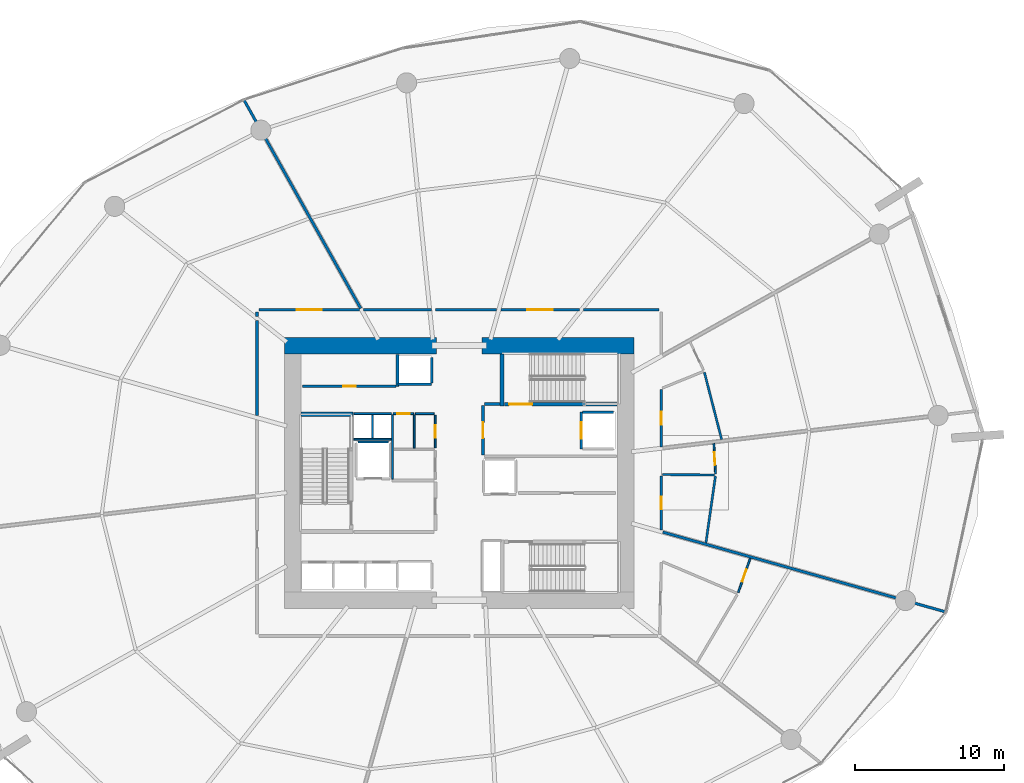
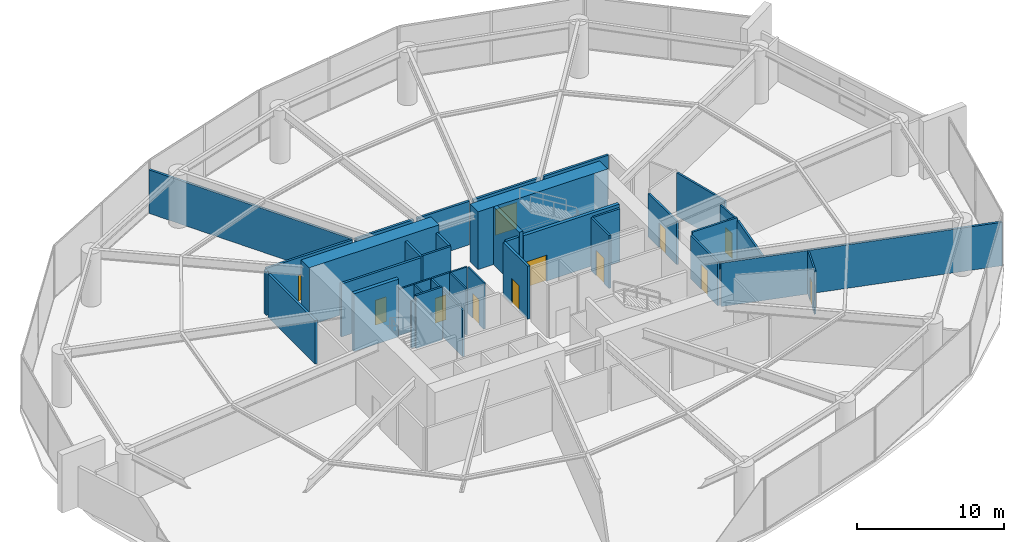
# One storey, part 19 of 22: 38 walls, 12 doors, 12 openings.
"""IFC4 building model written with IfcOpenShell, lengths in metres."""

import ifcopenshell
import ifcopenshell.guid

model = None  # the IFC model being written
_history = None  # IfcOwnerHistory: only IFC2X3 demands one
_inside = {}  # id of a spatial element -> (the spatial element, [elements in it])
_under = {}  # id of a project, library or spatial element -> (it, [spatial elements below it])
_declared = {}  # id of a project -> (the project, [libraries it declares])
_typed = {}  # id of a type object -> (the type object, [elements of that type])
_made_of = {}  # id of a material, layer set ... -> (it, [elements and type objects made of it])


def new_model(schema):
    """Start an empty IFC model of exactly this schema.

    Asked for "IFC4X3", IfcOpenShell would pick the latest addendum, in which some entities
    have other attributes; the version numbers below select the first issue.
    IFC2X3 requires an IfcOwnerHistory on every rooted entity: one is made here for all.
    """
    global model, _history
    if schema == "IFC4X3":
        model = ifcopenshell.file(schema_version=(4, 3, 0, 0))
    else:
        model = ifcopenshell.file(schema=schema)
    _inside.clear()
    _under.clear()
    _declared.clear()
    _typed.clear()
    _made_of.clear()
    _history = None
    if model.schema == "IFC2X3":
        org = make("IfcOrganization", Name="unknown")
        user = make(
            "IfcPersonAndOrganization",
            ThePerson=make("IfcPerson", FamilyName="unknown"),
            TheOrganization=org,
        )
        app = make(
            "IfcApplication",
            ApplicationDeveloper=org,
            Version="unknown",
            ApplicationFullName="unknown",
            ApplicationIdentifier="unknown",
        )
        _history = make(
            "IfcOwnerHistory",
            OwningUser=user,
            OwningApplication=app,
            ChangeAction="ADDED",
            CreationDate=0,
        )
    return model


def make(cls, **values):
    """One entity of the class cls with the attributes given. An attribute that is None is left unset."""
    return model.create_entity(
        cls, **{name: value for name, value in values.items() if value is not None}
    )


def rooted(cls, **values):
    """An entity with a GlobalId (a new one), such as an element, a storey or a relation."""
    return make(cls, GlobalId=ifcopenshell.guid.new(), OwnerHistory=_history, **values)


def si_unit(unit_type, name, prefix=None):
    """IfcSIUnit, for example si_unit("LENGTHUNIT", "METRE", prefix="MILLI")."""
    return make("IfcSIUnit", UnitType=unit_type, Prefix=prefix, Name=name)


def assignment(units):
    """IfcUnitAssignment: the units of a project."""
    return None if units is None else make("IfcUnitAssignment", Units=units)


def point(xyz):
    """IfcCartesianPoint."""
    return None if xyz is None else make("IfcCartesianPoint", Coordinates=xyz)


def direction(xyz):
    """IfcDirection."""
    return None if xyz is None else make("IfcDirection", DirectionRatios=xyz)


def frame(location, z_axis=None, x_axis=None):
    """IfcAxis2Placement3D, a coordinate frame: its origin and axes. An axis left out is left unset."""
    return make(
        "IfcAxis2Placement3D",
        Location=point(location),
        Axis=direction(z_axis),
        RefDirection=direction(x_axis),
    )


def frame_2d(location, x_axis=None):
    """IfcAxis2Placement2D, a coordinate frame in the plane: its origin and x axis."""
    return make(
        "IfcAxis2Placement2D", Location=point(location), RefDirection=direction(x_axis)
    )


def origin():
    """The frame at (0, 0, 0) with its axes left unset."""
    return frame((0.0, 0.0, 0.0))


def place(relative_to, where):
    """IfcLocalPlacement: puts the frame where relative to a parent placement (None: the world)."""
    return make(
        "IfcLocalPlacement", PlacementRelTo=relative_to, RelativePlacement=where
    )


def context(
    kind, dimensions, precision=None, world=None, true_north=None, identifier=None
):
    """IfcGeometricRepresentationContext, for example the 3D "Model" context."""
    return make(
        "IfcGeometricRepresentationContext",
        ContextIdentifier=identifier,
        ContextType=kind,
        CoordinateSpaceDimension=dimensions,
        Precision=precision,
        WorldCoordinateSystem=world,
        TrueNorth=true_north,
    )


def subcontext(parent, identifier, kind, view, scale=None):
    """IfcGeometricRepresentationSubContext, for example "Body" below "Model"."""
    return make(
        "IfcGeometricRepresentationSubContext",
        ContextIdentifier=identifier,
        ContextType=kind,
        ParentContext=parent,
        TargetScale=scale,
        TargetView=view,
    )


def project(units=None, contexts=None):
    """IfcProject with its units and contexts."""
    return rooted(
        "IfcProject",
        Name="project",
        RepresentationContexts=contexts,
        UnitsInContext=assignment(units),
    )


def spatial(cls, under=None, at=None, **own):
    """A site, building, storey or space (cls), placed at a placement, below another one or the project."""
    s = rooted(cls, ObjectPlacement=at, **own)
    if under is not None:
        _under.setdefault(under.id(), (under, []))[1].append(s)
    return s


def profile(cls, at=None, kind="AREA", **sizes):
    """A parametric profile (cls). Its sizes go by their IFC names, for example OverallWidth=200.0."""
    return make(cls, ProfileType=kind, Position=at, **sizes)


def rectangle(**sizes):
    """IfcRectangleProfileDef."""
    return profile("IfcRectangleProfileDef", **sizes)


def extrude(swept, where, along, depth):
    """IfcExtrudedAreaSolid: the profile swept, set in the frame where, extruded along a direction by depth."""
    return make(
        "IfcExtrudedAreaSolid",
        SweptArea=swept,
        Position=where,
        ExtrudedDirection=direction(along),
        Depth=depth,
    )


def shape(context_of_items, identifier, shape_type, items):
    """IfcShapeRepresentation: the items that make up one representation, for example the "Body"."""
    return make(
        "IfcShapeRepresentation",
        ContextOfItems=context_of_items,
        RepresentationIdentifier=identifier,
        RepresentationType=shape_type,
        Items=items,
    )


def material(Name=None, Category=None):
    """IfcMaterial."""
    return make("IfcMaterial", Name=Name, Category=Category)


def layer(
    of_material, thickness, ventilated=None, Name=None, Category=None, Priority=None
):
    """IfcMaterialLayer: one layer of a wall or slab, of a material (None: an air gap)."""
    return make(
        "IfcMaterialLayer",
        Material=of_material,
        LayerThickness=thickness,
        IsVentilated=ventilated,
        Name=Name,
        Category=Category,
        Priority=Priority,
    )


def layer_set(layers, Name=None):
    """IfcMaterialLayerSet."""
    return make("IfcMaterialLayerSet", MaterialLayers=layers, LayerSetName=Name)


def made_of(thing, what):
    """Note that an element or type object is made of a material, layer set ...; save() writes the relation."""
    if what is not None:
        _made_of.setdefault(what.id(), (what, []))[1].append(thing)
    return thing


def type_object(cls, material=None, **own):
    """A type object (cls), such as IfcWallType, which elements share."""
    return made_of(rooted(cls, **own), material)


def element(
    cls,
    number,
    at=None,
    inside=None,
    cuts=None,
    type_object=None,
    material=None,
    context=None,
    identifier="Body",
    shape_type=None,
    held_by="IfcProductDefinitionShape",
    body=None,
    shapes=None,
    **own,
):
    """One element of the class cls, such as IfcWall. Its Tag is "e" and its number.

    at: its placement. inside: the storey or other place that contains it. cuts: it is an
    opening in that element (IfcRelVoidsElement). A single representation is given by context,
    identifier, shape_type and body (its items); several are given by shapes. held_by: the class
    of the entity that holds the representations. save() writes the other relations.
    """
    e = rooted(cls, Tag="e%d" % number, ObjectPlacement=at, **own)
    if body is not None:
        shapes = [shape(context, identifier, shape_type, body)]
    if shapes is not None:
        e.Representation = make(held_by, Representations=shapes)
    if inside is not None:
        _inside.setdefault(inside.id(), (inside, []))[1].append(e)
    if cuts is not None:
        rooted(
            "IfcRelVoidsElement", RelatingBuildingElement=cuts, RelatedOpeningElement=e
        )
    if type_object is not None:
        _typed.setdefault(type_object.id(), (type_object, []))[1].append(e)
    return made_of(e, material)


def fill(opening, filler):
    """IfcRelFillsElement: the door or window that sits in an opening."""
    return rooted(
        "IfcRelFillsElement",
        RelatingOpeningElement=opening,
        RelatedBuildingElement=filler,
    )


def aggregate(whole, parts):
    """IfcRelAggregates: a whole, such as a stair, and the parts it consists of."""
    return rooted("IfcRelAggregates", RelatingObject=whole, RelatedObjects=parts)


def save(model, path):
    """Write the relations noted so far, then the file.

    IfcRelAggregates (storeys below a building ...), IfcRelContainedInSpatialStructure (elements
    in a storey), IfcRelDefinesByType, IfcRelAssociatesMaterial and IfcRelDeclares: one each for
    every whole, place, type object, material and project.
    """
    for whole, parts in _under.values():
        aggregate(whole, parts)
    for where, things in _inside.values():
        rooted(
            "IfcRelContainedInSpatialStructure",
            RelatedElements=things,
            RelatingStructure=where,
        )
    for kind, things in _typed.values():
        rooted("IfcRelDefinesByType", RelatedObjects=things, RelatingType=kind)
    for what, things in _made_of.values():
        rooted("IfcRelAssociatesMaterial", RelatedObjects=things, RelatingMaterial=what)
    for by, libraries in _declared.values():
        rooted("IfcRelDeclares", RelatingContext=by, RelatedDefinitions=libraries)
    model.write(path)


model = new_model("IFC4")

# Units and contexts
model_context = context("Model", 3, precision=1e-05, world=origin(), true_north=direction((0.0, 1.0)))
body_context = subcontext(model_context, "Body", "Model", "MODEL_VIEW")
ifc_project = project(units=[si_unit("LENGTHUNIT", "METRE"), si_unit("AREAUNIT", "SQUARE_METRE"), si_unit("VOLUMEUNIT", "CUBIC_METRE"), si_unit("PLANEANGLEUNIT", "RADIAN"), si_unit("MASSUNIT", "GRAM", prefix="KILO")], contexts=[model_context])

# Site, building, storey
site_placement = place(None, origin())
site = spatial("IfcSite", under=ifc_project, at=site_placement, CompositionType="ELEMENT")
building_placement = place(site_placement, origin())
building = spatial("IfcBuilding", under=site, at=building_placement, Name="Kazma Halo Residences", CompositionType="ELEMENT")
storey_placement = place(building_placement, frame((0.0, 0.0, 16.800048828125)))
storey = spatial("IfcBuildingStorey", under=building, at=storey_placement, Name="L03", CompositionType="ELEMENT", Elevation=16.800048828125)

# Walls
ifc_material_1 = material(Name="Concrete C80/95", Category="concrete")
ifc_layer_1 = layer(ifc_material_1, 1.10009765625)
ifc_layer_set_1 = layer_set([ifc_layer_1], Name="Concrete C80/95")
wall_type_1 = type_object("IfcWallType", Name="WL-CORE-1100", PredefinedType="SHEAR", material=ifc_layer_set_1)
for number, where, z_axis, x_axis, name in (
    (1, (36.699951171875, 50.550048828125, 0.0), (0.0, 0.0, 1.0), (1.0, 0.0, 0.0), "L03 central core shear wall NW"),
    (2, (49.949951171875, 50.550048828125, 0.0), (0.0, 0.0, 1.0), (1.0, 0.0, 0.0), "L03 central core shear wall NE"),
):
    element("IfcWall", number, at=place(storey_placement, frame(where, z_axis=z_axis, x_axis=x_axis)), inside=storey, type_object=wall_type_1, Name=name, PredefinedType="SHEAR", context=body_context, shape_type="SweptSolid", body=[
        extrude(rectangle(XDim=10.199951171875, YDim=1.10009765625, at=frame_2d((5.10009765625, 0.0))), origin(), (0.0, 0.0, 1.0), 4.800048828125),
    ])
ifc_material_2 = material(Name="Concrete C60/75", Category="concrete")
ifc_layer_2 = layer(ifc_material_2, 0.280029296875)
ifc_layer_set_2 = layer_set([ifc_layer_2], Name="Concrete C60/75")
wall_type_2 = type_object("IfcWallType", Name="WL-CORE-ST-280", PredefinedType="SHEAR", material=ifc_layer_set_2)
for number, where, z_axis, x_axis, name in (
    (3, (37.800048828125, 45.93994140625, 0.0), (0.0, 0.0, 1.0), (1.0, 0.0, 0.0), "L03 stairwell bearing wall ST01-N"),
    (4, (51.31005859375, 46.5, 0.0), (0.0, 0.0, 1.0), (0.0, 1.0, 0.0), "L03 stairwell bearing wall ST02-W"),
):
    element("IfcWall", number, at=place(storey_placement, frame(where, z_axis=z_axis, x_axis=x_axis)), inside=storey, type_object=wall_type_2, Name=name, PredefinedType="SHEAR", context=body_context, shape_type="SweptSolid", body=[
        extrude(rectangle(XDim=3.5, YDim=0.280029296875, at=frame_2d((1.75, 0.0))), origin(), (0.0, 0.0, 1.0), 4.800048828125),
    ])
ifc_material_3 = material(Name="Acoustic Twin-Stud Gypsum")
ifc_layer_3 = layer(ifc_material_3, 0.179931640625)
ifc_layer_set_3 = layer_set([ifc_layer_3], Name="Acoustic Twin-Stud Gypsum")
wall_type_3 = type_object("IfcWallType", Name="WL-DEM-180", PredefinedType="PARTITIONING", material=ifc_layer_set_3)
wall_1_placement = place(storey_placement, frame((61.860107421875, 52.949951171875, 0.0), z_axis=(0.0, 0.0, 1.0), x_axis=(-1.0, 0.0, 0.0)))
element("IfcWall", 5, at=wall_1_placement, inside=storey, type_object=wall_type_3, Name="L03 Cardio and Strength Fitness Gym corridor wall", PredefinedType="PARTITIONING", context=body_context, shape_type="SweptSolid", body=[
    extrude(rectangle(XDim=5.087890625, YDim=0.179931640625, at=frame_2d((2.5439453125, 0.0))), origin(), (0.0, 0.0, 1.0), 3.613037109375),
])

# Wall, opening, door
wall_2_placement = place(storey_placement, frame((56.4921875, 52.949951171875, 0.0), z_axis=(0.0, 0.0, 1.0), x_axis=(-1.0, 0.0, 0.0)))
wall_2 = element("IfcWall", 6, at=wall_2_placement, inside=storey, type_object=wall_type_3, Name="L03 Cardio and Strength Fitness Gym corridor wall", PredefinedType="PARTITIONING", context=body_context, shape_type="SweptSolid", body=[
    extrude(rectangle(XDim=5.263916015625, YDim=0.179931640625, at=frame_2d((2.6318359375, 0.0))), origin(), (0.0, 0.0, 1.0), 3.613037109375),
])
opening_1_placement = place(wall_2_placement, frame((1.781982421875, 0.0, 0.0)))
opening_1 = element("IfcOpeningElement", 7, at=opening_1_placement, cuts=wall_2, Name="Opening DL-1800", PredefinedType="OPENING", context=body_context, shape_type="SweptSolid", body=[
    extrude(rectangle(XDim=1.699951171875, YDim=2.14990234375, at=frame_2d((0.85009765625, 1.074951171875))), frame((0.0, 0.099853515625, 0.0), z_axis=(0.0, -1.0, 0.0), x_axis=(1.0, 0.0, 0.0)), (0.0, 0.0, 1.0), 0.199951171875),
])
ifc_material_4 = material(Name="Glazed Aluminium Double Leaf", Category="aluminium")
door_type_1 = type_object("IfcDoorType", Name="DR-LGE-1800", OperationType="NOTDEFINED", PredefinedType="DOOR", material=ifc_material_4)
door_1_placement = place(opening_1_placement, origin())
door_1 = element("IfcDoor", 8, at=door_1_placement, inside=storey, type_object=door_type_1, Name="L03 Cardio and Strength Fitness Gym entrance door", OperationType="DOUBLE_DOOR_SINGLE_SWING", OverallHeight=2.14990234375, OverallWidth=1.699951171875, PredefinedType="DOOR", context=body_context, shape_type="SweptSolid", body=[
    extrude(rectangle(XDim=1.699951171875, YDim=2.14990234375, at=frame_2d((0.85009765625, 1.074951171875))), frame((0.0, 0.02490234375, 0.0), z_axis=(0.0, -1.0, 0.0), x_axis=(1.0, 0.0, 0.0)), (0.0, 0.0, 1.0), 0.050048828125),
])
fill(opening_1, door_1)

# Walls
wall_3_placement = place(storey_placement, frame((50.9482421875, 52.949951171875, 0.0), z_axis=(0.0, 0.0, 1.0), x_axis=(-1.0, 0.0, 0.0)))
element("IfcWall", 9, at=wall_3_placement, inside=storey, type_object=wall_type_3, Name="L03 Cardio and Strength Fitness Gym corridor wall", PredefinedType="PARTITIONING", context=body_context, shape_type="SweptSolid", body=[
    extrude(rectangle(XDim=4.104248046875, YDim=0.179931640625, at=frame_2d((2.05224609375, 0.0))), origin(), (0.0, 0.0, 1.0), 3.613037109375),
])
wall_4_placement = place(storey_placement, frame((46.56396484375, 52.949951171875, 0.0), z_axis=(0.0, 0.0, 1.0), x_axis=(-1.0, 0.0, 0.0)))
element("IfcWall", 10, at=wall_4_placement, inside=storey, type_object=wall_type_3, Name="L03 Cardio and Strength Fitness Gym corridor wall", PredefinedType="PARTITIONING", context=body_context, shape_type="SweptSolid", body=[
    extrude(rectangle(XDim=4.55615234375, YDim=0.179931640625, at=frame_2d((2.278076171875, 0.0))), origin(), (0.0, 0.0, 1.0), 3.613037109375),
])
wall_5_placement = place(storey_placement, frame((41.81396484375, 53.0458984375, 0.0), z_axis=(0.0, 0.0, 1.0), x_axis=(-0.48862053439, 0.872496403071, 0.0)))
element("IfcWall", 11, at=wall_5_placement, inside=storey, type_object=wall_type_3, Name="L03 radial partition wall 04", PredefinedType="PARTITIONING", context=body_context, shape_type="SweptSolid", body=[
    extrude(rectangle(XDim=16.0244140625, YDim=0.179931640625, at=frame_2d((8.01220703125, 0.0))), origin(), (0.0, 0.0, 1.0), 3.613037109375),
])

# Wall, opening, door
wall_6_placement = place(storey_placement, frame((41.727783203125, 52.949951171875, 0.0), z_axis=(0.0, 0.0, 1.0), x_axis=(-1.0, 0.0, 0.0)))
wall_6 = element("IfcWall", 12, at=wall_6_placement, inside=storey, type_object=wall_type_3, Name="L03 Yoga and Pilates Studio corridor wall", PredefinedType="PARTITIONING", context=body_context, shape_type="SweptSolid", body=[
    extrude(rectangle(XDim=6.73779296875, YDim=0.179931640625, at=frame_2d((3.368896484375, 0.0))), origin(), (0.0, 0.0, 1.0), 3.613037109375),
])
opening_2_placement = place(wall_6_placement, frame((2.518798828125, 0.0, 0.0)))
opening_2 = element("IfcOpeningElement", 13, at=opening_2_placement, cuts=wall_6, Name="Opening DL-1800", PredefinedType="OPENING", context=body_context, shape_type="SweptSolid", body=[
    extrude(rectangle(XDim=1.699951171875, YDim=2.14990234375, at=frame_2d((0.85009765625, 1.074951171875))), frame((0.0, 0.099853515625, 0.0), z_axis=(0.0, -1.0, 0.0), x_axis=(1.0, 0.0, 0.0)), (0.0, 0.0, 1.0), 0.199951171875),
])
door_2_placement = place(opening_2_placement, origin())
door_2 = element("IfcDoor", 14, at=door_2_placement, inside=storey, type_object=door_type_1, Name="L03 Yoga and Pilates Studio entrance door", OperationType="DOUBLE_DOOR_SINGLE_SWING", OverallHeight=2.14990234375, OverallWidth=1.699951171875, PredefinedType="DOOR", context=body_context, shape_type="SweptSolid", body=[
    extrude(rectangle(XDim=1.699951171875, YDim=2.14990234375, at=frame_2d((0.85009765625, 1.074951171875))), frame((0.0, 0.02490234375, 0.0), z_axis=(0.0, -1.0, 0.0), x_axis=(1.0, 0.0, 0.0)), (0.0, 0.0, 1.0), 0.050048828125),
])
fill(opening_2, door_2)

# Walls
wall_7_placement = place(storey_placement, frame((34.85009765625, 52.81005859375, 0.0), z_axis=(0.0, 0.0, 1.0), x_axis=(0.0, -1.0, 0.0)))
element("IfcWall", 15, at=wall_7_placement, inside=storey, type_object=wall_type_3, Name="L03 Yoga and Pilates Studio corridor wall", PredefinedType="PARTITIONING", context=body_context, shape_type="SweptSolid", body=[
    extrude(rectangle(XDim=0.303466796875, YDim=0.179931640625, at=frame_2d((0.15185546875, 0.0))), origin(), (0.0, 0.0, 1.0), 3.613037109375),
])
wall_8_placement = place(storey_placement, frame((34.85009765625, 52.2265625, 0.0), z_axis=(0.0, 0.0, 1.0), x_axis=(0.0, -1.0, 0.0)))
element("IfcWall", 16, at=wall_8_placement, inside=storey, type_object=wall_type_3, Name="L03 Yoga and Pilates Studio corridor wall", PredefinedType="PARTITIONING", context=body_context, shape_type="SweptSolid", body=[
    extrude(rectangle(XDim=6.3779296875, YDim=0.179931640625, at=frame_2d((3.18896484375, 0.0))), origin(), (0.0, 0.0, 1.0), 3.613037109375),
])
wall_9_placement = place(storey_placement, frame((62.10595703125, 38.021728515625, 0.0), z_axis=(0.0, 0.0, 1.0), x_axis=(0.962455233657, -0.271440459782, 0.0)))
element("IfcWall", 17, at=wall_9_placement, inside=storey, type_object=wall_type_3, Name="L03 radial partition wall 14", PredefinedType="PARTITIONING", context=body_context, shape_type="SweptSolid", body=[
    extrude(rectangle(XDim=19.71630859375, YDim=0.179931640625, at=frame_2d((9.858154296875, 0.0))), origin(), (0.0, 0.0, 1.0), 3.613037109375),
])
ifc_material_5 = material(Name="Fire-Rated Blockwork Masonry", Category="masonry")
ifc_layer_4 = layer(ifc_material_5, 0.199951171875)
ifc_layer_set_4 = layer_set([ifc_layer_4], Name="Fire-Rated Blockwork Masonry")
wall_type_4 = type_object("IfcWallType", Name="WL-FLB-200", PredefinedType="PARTITIONING", material=ifc_layer_set_4)
wall_10_placement = place(storey_placement, frame((46.580078125, 47.945068359375, 0.0), z_axis=(0.0, 0.0, 1.0), x_axis=(-1.0, 0.0, 0.0)))
element("IfcWall", 18, at=wall_10_placement, inside=storey, type_object=wall_type_4, Name="L03 lift shaft PX-01 front wall", PredefinedType="PARTITIONING", context=body_context, shape_type="SweptSolid", body=[
    extrude(rectangle(XDim=2.260009765625, YDim=0.159912109375, at=frame_2d((1.1298828125, 0.0))), origin(), (0.0, 0.0, 1.0), 4.39990234375),
])
wall_11_placement = place(storey_placement, frame((46.580078125, 48.044921875, 0.0), z_axis=(0.0, 0.0, 1.0), x_axis=(0.0, 1.0, 0.0)))
element("IfcWall", 19, at=wall_11_placement, inside=storey, type_object=wall_type_4, Name="L03 lift shaft PX-01 side wall E", PredefinedType="PARTITIONING", context=body_context, shape_type="SweptSolid", body=[
    extrude(rectangle(XDim=1.7099609375, YDim=0.159912109375, at=frame_2d((0.85498046875, 0.0))), origin(), (0.0, 0.0, 1.0), 4.39990234375),
])
wall_12_placement = place(storey_placement, frame((41.6201171875, 44.080078125, 0.0), z_axis=(0.0, 0.0, 1.0), x_axis=(1.0, 0.0, 0.0)))
element("IfcWall", 20, at=wall_12_placement, inside=storey, type_object=wall_type_4, Name="L03 lift shaft FL-01 side wall N", PredefinedType="PARTITIONING", context=body_context, shape_type="SweptSolid", body=[
    extrude(rectangle(XDim=2.059814453125, YDim=0.159912109375, at=frame_2d((1.02978515625, 0.0))), origin(), (0.0, 0.0, 1.0), 4.39990234375),
])

# Wall, opening, door
wall_13_placement = place(storey_placement, frame((56.6201171875, 46.080078125, 0.0), z_axis=(0.0, 0.0, 1.0), x_axis=(0.0, -1.0, 0.0)))
wall_13 = element("IfcWall", 21, at=wall_13_placement, inside=storey, type_object=wall_type_4, Name="L03 lift shaft FL-02 front wall", PredefinedType="PARTITIONING", context=body_context, shape_type="SweptSolid", body=[
    extrude(rectangle(XDim=2.4599609375, YDim=0.159912109375, at=frame_2d((1.22998046875, 0.0))), origin(), (0.0, 0.0, 1.0), 4.39990234375),
])
opening_3_placement = place(wall_13_placement, frame((0.679931640625, 0.0, 0.0)))
opening_3 = element("IfcOpeningElement", 22, at=opening_3_placement, cuts=wall_13, Name="Opening LD-FL-02", PredefinedType="OPENING", context=body_context, shape_type="SweptSolid", body=[
    extrude(rectangle(XDim=1.10009765625, YDim=2.10009765625, at=frame_2d((0.550048828125, 1.050048828125))), frame((0.0, 0.08984375, 0.0), z_axis=(0.0, -1.0, 0.0), x_axis=(1.0, 0.0, 0.0)), (0.0, 0.0, 1.0), 0.179931640625),
])
ifc_material_6 = material(Name="Stainless Steel Fire-Rated", Category="steel")
door_type_2 = type_object("IfcDoorType", Name="DR-LIFT-SLD-1100", OperationType="DOUBLE_DOOR_SLIDING", PredefinedType="DOOR", material=ifc_material_6)
door_3_placement = place(opening_3_placement, origin())
door_3 = element("IfcDoor", 23, at=door_3_placement, inside=storey, type_object=door_type_2, Name="L03 lift FL-02 sliding landing door", OperationType="DOUBLE_DOOR_SLIDING", OverallHeight=2.10009765625, OverallWidth=1.10009765625, PredefinedType="DOOR", context=body_context, shape_type="SweptSolid", body=[
    extrude(rectangle(XDim=1.10009765625, YDim=2.10009765625, at=frame_2d((0.550048828125, 1.050048828125))), frame((0.0, 0.02490234375, 0.0), z_axis=(0.0, -1.0, 0.0), x_axis=(1.0, 0.0, 0.0)), (0.0, 0.0, 1.0), 0.050048828125),
])
fill(opening_3, door_3)

# Wall
wall_14_placement = place(storey_placement, frame((56.719970703125, 46.080078125, 0.0), z_axis=(0.0, 0.0, 1.0), x_axis=(1.0, 0.0, 0.0)))
element("IfcWall", 24, at=wall_14_placement, inside=storey, type_object=wall_type_4, Name="L03 lift shaft FL-02 side wall N", PredefinedType="PARTITIONING", context=body_context, shape_type="SweptSolid", body=[
    extrude(rectangle(XDim=2.06005859375, YDim=0.159912109375, at=frame_2d((1.030029296875, 0.0))), origin(), (0.0, 0.0, 1.0), 4.39990234375),
])

# Wall, opening, door
wall_15_placement = place(storey_placement, frame((37.919921875, 47.820068359375, 0.0), z_axis=(0.0, 0.0, 1.0), x_axis=(1.0, 0.0, 0.0)))
wall_15 = element("IfcWall", 25, at=wall_15_placement, inside=storey, type_object=wall_type_4, Name="L03 core north reserve wall", PredefinedType="PARTITIONING", context=body_context, shape_type="SweptSolid", body=[
    extrude(rectangle(XDim=6.260009765625, YDim=0.179931640625, at=frame_2d((3.1298828125, 0.0))), origin(), (0.0, 0.0, 1.0), 4.39990234375),
])
opening_4_placement = place(wall_15_placement, frame((2.705078125, 0.0, 0.0)))
opening_4 = element("IfcOpeningElement", 26, at=opening_4_placement, cuts=wall_15, Name="Opening DS-850", PredefinedType="OPENING", context=body_context, shape_type="SweptSolid", body=[
    extrude(rectangle(XDim=0.85009765625, YDim=2.06005859375, at=frame_2d((0.425048828125, 1.030029296875))), frame((0.0, 0.099853515625, 0.0), z_axis=(0.0, -1.0, 0.0), x_axis=(1.0, 0.0, 0.0)), (0.0, 0.0, 1.0), 0.199951171875),
])
ifc_material_7 = material(Name="Painted Steel Access Leaf", Category="steel")
door_type_3 = type_object("IfcDoorType", Name="DR-SVC-850", OperationType="NOTDEFINED", PredefinedType="DOOR", material=ifc_material_7)
door_4_placement = place(opening_4_placement, origin())
door_4 = element("IfcDoor", 27, at=door_4_placement, inside=storey, type_object=door_type_3, Name="L03 core north reserve door", OperationType="SINGLE_SWING_LEFT", OverallHeight=2.06005859375, OverallWidth=0.85009765625, PredefinedType="DOOR", context=body_context, shape_type="SweptSolid", body=[
    extrude(rectangle(XDim=0.85009765625, YDim=2.06005859375, at=frame_2d((0.425048828125, 1.030029296875))), frame((0.0, 0.02490234375, 0.0), z_axis=(0.0, -1.0, 0.0), x_axis=(1.0, 0.0, 0.0)), (0.0, 0.0, 1.0), 0.050048828125),
])
fill(opening_4, door_4)

# Walls
wall_16_placement = place(storey_placement, frame((44.280029296875, 47.820068359375, 0.0), z_axis=(0.0, 0.0, 1.0), x_axis=(0.0, 1.0, 0.0)))
element("IfcWall", 28, at=wall_16_placement, inside=storey, type_object=wall_type_4, Name="L03 PX-01 hoistway west wall", PredefinedType="PARTITIONING", context=body_context, shape_type="SweptSolid", body=[
    extrude(rectangle(XDim=2.1298828125, YDim=0.179931640625, at=frame_2d((1.06494140625, 0.0))), origin(), (0.0, 0.0, 1.0), 4.39990234375),
])
wall_17_placement = place(storey_placement, frame((50.139892578125, 46.6201171875, 0.0), z_axis=(0.0, 0.0, 1.0), x_axis=(1.0, 0.0, 0.0)))
element("IfcWall", 29, at=wall_17_placement, inside=storey, type_object=wall_type_4, Name="L03 east firefighting lobby north closure wall", PredefinedType="PARTITIONING", context=body_context, shape_type="SweptSolid", body=[
    extrude(rectangle(XDim=1.02001953125, YDim=0.199951171875, at=frame_2d((0.510009765625, 0.0))), origin(), (0.0, 0.0, 1.0), 4.39990234375),
])

# Wall, opening, door
wall_18_placement = place(storey_placement, frame((50.02001953125, 43.219970703125, 0.0), z_axis=(0.0, 0.0, 1.0), x_axis=(0.0, 1.0, 0.0)))
wall_18 = element("IfcWall", 30, at=wall_18_placement, inside=storey, type_object=wall_type_4, Name="L03 east firefighting lobby smoke wall", PredefinedType="PARTITIONING", context=body_context, shape_type="SweptSolid", body=[
    extrude(rectangle(XDim=3.300048828125, YDim=0.199951171875, at=frame_2d((1.64990234375, 0.0))), origin(), (0.0, 0.0, 1.0), 4.39990234375),
])
opening_5_placement = place(wall_18_placement, frame((1.125, 0.0, 0.0)))
opening_5 = element("IfcOpeningElement", 31, at=opening_5_placement, cuts=wall_18, Name="Opening D-FLE", PredefinedType="OPENING", context=body_context, shape_type="SweptSolid", body=[
    extrude(rectangle(XDim=1.050048828125, YDim=2.10009765625, at=frame_2d((0.52490234375, 1.050048828125))), frame((0.0, 0.10986328125, 0.0), z_axis=(0.0, -1.0, 0.0), x_axis=(1.0, 0.0, 0.0)), (0.0, 0.0, 1.0), 0.219970703125),
])
ifc_material_8 = material(Name="Fire-Rated Steel Leaf", Category="steel")
door_type_4 = type_object("IfcDoorType", Name="DR-FD90-1050", OperationType="NOTDEFINED", PredefinedType="DOOR", material=ifc_material_8)
door_5_placement = place(opening_5_placement, origin())
door_5 = element("IfcDoor", 32, at=door_5_placement, inside=storey, type_object=door_type_4, Name="L03 east firefighting lobby smoke door", OperationType="SINGLE_SWING_LEFT", OverallHeight=2.10009765625, OverallWidth=1.050048828125, PredefinedType="DOOR", context=body_context, shape_type="SweptSolid", body=[
    extrude(rectangle(XDim=1.050048828125, YDim=2.10009765625, at=frame_2d((0.52490234375, 1.050048828125))), frame((0.0, 0.02490234375, 0.0), z_axis=(0.0, -1.0, 0.0), x_axis=(1.0, 0.0, 0.0)), (0.0, 0.0, 1.0), 0.050048828125),
])
fill(opening_5, door_5)

# Walls
ifc_material_9 = material(Name="Gypsum Plasterboard Partition")
ifc_layer_5 = layer(ifc_material_9, 0.125)
ifc_layer_set_5 = layer_set([ifc_layer_5], Name="Gypsum Plasterboard Partition")
wall_type_5 = type_object("IfcWallType", Name="WL-PART-125", PredefinedType="PARTITIONING", material=ifc_layer_set_5)
wall_19_placement = place(storey_placement, frame((41.360107421875, 44.260009765625, 0.0), z_axis=(0.0, 0.0, 1.0), x_axis=(1.0, 0.0, 0.0)))
element("IfcWall", 33, at=wall_19_placement, inside=storey, type_object=wall_type_5, Name="L03 core riser south wall", PredefinedType="PARTITIONING", context=body_context, shape_type="SweptSolid", body=[
    extrude(rectangle(XDim=2.5, YDim=0.125, at=frame_2d((1.25, 0.0))), origin(), (0.0, 0.0, 1.0), 3.83984375),
])
wall_20_placement = place(storey_placement, frame((42.60009765625, 44.35009765625, 0.0), z_axis=(0.0, 0.0, 1.0), x_axis=(0.0, 1.0, 0.0)))
element("IfcWall", 34, at=wall_20_placement, inside=storey, type_object=wall_type_5, Name="L03 core riser divider wall", PredefinedType="PARTITIONING", context=body_context, shape_type="SweptSolid", body=[
    extrude(rectangle(XDim=1.5498046875, YDim=0.125, at=frame_2d((0.77490234375, 0.0))), origin(), (0.0, 0.0, 1.0), 3.83984375),
])
wall_21_placement = place(storey_placement, frame((43.949951171875, 41.580078125, 0.0), z_axis=(0.0, 0.0, 1.0), x_axis=(0.0, 1.0, 0.0)))
element("IfcWall", 35, at=wall_21_placement, inside=storey, type_object=wall_type_5, Name="L03 core service west wall", PredefinedType="PARTITIONING", context=body_context, shape_type="SweptSolid", body=[
    extrude(rectangle(XDim=4.31982421875, YDim=0.125, at=frame_2d((2.159912109375, 0.0))), origin(), (0.0, 0.0, 1.0), 3.83984375),
])
wall_22_placement = place(storey_placement, frame((45.409912109375, 43.669921875, 0.0), z_axis=(0.0, 0.0, 1.0), x_axis=(0.0, 1.0, 0.0)))
element("IfcWall", 36, at=wall_22_placement, inside=storey, type_object=wall_type_5, Name="L03 core service vert divider", PredefinedType="PARTITIONING", context=body_context, shape_type="SweptSolid", body=[
    extrude(rectangle(XDim=2.22998046875, YDim=0.125, at=frame_2d((1.114990234375, 0.0))), origin(), (0.0, 0.0, 1.0), 3.83984375),
])

# Wall, opening, door
wall_23_placement = place(storey_placement, frame((46.820068359375, 43.68994140625, 0.0), z_axis=(0.0, 0.0, 1.0), x_axis=(0.0, 1.0, 0.0)))
wall_23 = element("IfcWall", 37, at=wall_23_placement, inside=storey, type_object=wall_type_5, Name="L03 sub-metering east wall", PredefinedType="PARTITIONING", context=body_context, shape_type="SweptSolid", body=[
    extrude(rectangle(XDim=2.18994140625, YDim=0.125, at=frame_2d((1.094970703125, 0.0))), origin(), (0.0, 0.0, 1.0), 3.83984375),
])
opening_6_placement = place(wall_23_placement, frame((0.669921875, 0.0, 0.0)))
opening_6 = element("IfcOpeningElement", 38, at=opening_6_placement, cuts=wall_23, Name="Opening DS-850", PredefinedType="OPENING", context=body_context, shape_type="SweptSolid", body=[
    extrude(rectangle(XDim=0.85009765625, YDim=2.06005859375, at=frame_2d((0.425048828125, 1.030029296875))), frame((0.0, 0.072509765625, 0.0), z_axis=(0.0, -1.0, 0.0), x_axis=(1.0, 0.0, 0.0)), (0.0, 0.0, 1.0), 0.14501953125),
])
door_6_placement = place(opening_6_placement, origin())
door_6 = element("IfcDoor", 39, at=door_6_placement, inside=storey, type_object=door_type_3, Name="L03 sub-metering door", OperationType="SINGLE_SWING_LEFT", OverallHeight=2.06005859375, OverallWidth=0.85009765625, PredefinedType="DOOR", context=body_context, shape_type="SweptSolid", body=[
    extrude(rectangle(XDim=0.85009765625, YDim=2.06005859375, at=frame_2d((0.425048828125, 1.030029296875))), frame((0.0, 0.02490234375, 0.0), z_axis=(0.0, -1.0, 0.0), x_axis=(1.0, 0.0, 0.0)), (0.0, 0.0, 1.0), 0.050048828125),
])
fill(opening_6, door_6)

# Wall
wall_24_placement = place(storey_placement, frame((41.35009765625, 45.97998046875, 0.0), z_axis=(0.0, 0.0, 1.0), x_axis=(1.0, 0.0, 0.0)))
element("IfcWall", 40, at=wall_24_placement, inside=storey, type_object=wall_type_5, Name="L03 core riser NW wall", PredefinedType="PARTITIONING", context=body_context, shape_type="SweptSolid", body=[
    extrude(rectangle(XDim=2.52978515625, YDim=0.125, at=frame_2d((1.264892578125, 0.0))), origin(), (0.0, 0.0, 1.0), 3.83984375),
])

# Wall, opening, door
wall_25_placement = place(storey_placement, frame((43.989990234375, 45.97998046875, 0.0), z_axis=(0.0, 0.0, 1.0), x_axis=(1.0, 0.0, 0.0)))
wall_25 = element("IfcWall", 41, at=wall_25_placement, inside=storey, type_object=wall_type_5, Name="L03 cleaners cupboard north wall", PredefinedType="PARTITIONING", context=body_context, shape_type="SweptSolid", body=[
    extrude(rectangle(XDim=1.380126953125, YDim=0.125, at=frame_2d((0.68994140625, 0.0))), origin(), (0.0, 0.0, 1.0), 3.83984375),
])
opening_7_placement = place(wall_25_placement, frame((0.264892578125, 0.0, 0.0)))
opening_7 = element("IfcOpeningElement", 42, at=opening_7_placement, cuts=wall_25, Name="Opening DS-850", PredefinedType="OPENING", context=body_context, shape_type="SweptSolid", body=[
    extrude(rectangle(XDim=0.85009765625, YDim=2.06005859375, at=frame_2d((0.425048828125, 1.030029296875))), frame((0.0, 0.072509765625, 0.0), z_axis=(0.0, -1.0, 0.0), x_axis=(1.0, 0.0, 0.0)), (0.0, 0.0, 1.0), 0.14501953125),
])
door_7_placement = place(opening_7_placement, origin())
door_7 = element("IfcDoor", 43, at=door_7_placement, inside=storey, type_object=door_type_3, Name="L03 cleaners cupboard door", OperationType="SINGLE_SWING_RIGHT", OverallHeight=2.06005859375, OverallWidth=0.85009765625, PredefinedType="DOOR", context=body_context, shape_type="SweptSolid", body=[
    extrude(rectangle(XDim=0.85009765625, YDim=2.06005859375, at=frame_2d((0.425048828125, 1.030029296875))), frame((0.0, 0.02490234375, 0.0), z_axis=(0.0, -1.0, 0.0), x_axis=(1.0, 0.0, 0.0)), (0.0, 0.0, 1.0), 0.050048828125),
])
fill(opening_7, door_7)

# Wall
wall_26_placement = place(storey_placement, frame((45.47998046875, 45.97998046875, 0.0), z_axis=(0.0, 0.0, 1.0), x_axis=(1.0, 0.0, 0.0)))
element("IfcWall", 44, at=wall_26_placement, inside=storey, type_object=wall_type_5, Name="L03 sub-metering north wall", PredefinedType="PARTITIONING", context=body_context, shape_type="SweptSolid", body=[
    extrude(rectangle(XDim=1.260009765625, YDim=0.125, at=frame_2d((0.6298828125, 0.0))), origin(), (0.0, 0.0, 1.0), 3.83984375),
])

# Wall, opening, door
wall_27_placement = place(storey_placement, frame((67.168212890625, 33.97021484375, 0.0), z_axis=(0.0, 0.0, 1.0), x_axis=(0.331316814656, 0.943519564358, 0.0)))
wall_27 = element("IfcWall", 45, at=wall_27_placement, inside=storey, type_object=wall_type_5, Name="L03 supply store wall", PredefinedType="PARTITIONING", context=body_context, shape_type="SweptSolid", body=[
    extrude(rectangle(XDim=2.43017578125, YDim=0.125, at=frame_2d((1.215087890625, 0.0))), origin(), (0.0, 0.0, 1.0), 3.613037109375),
])
opening_8_placement = place(wall_27_placement, frame((0.790283203125, 0.0, 0.0)))
opening_8 = element("IfcOpeningElement", 46, at=opening_8_placement, cuts=wall_27, Name="Opening DS-850", PredefinedType="OPENING", context=body_context, shape_type="SweptSolid", body=[
    extrude(rectangle(XDim=0.85009765625, YDim=2.06005859375, at=frame_2d((0.425048828125, 1.030029296875))), frame((0.0, 0.072509765625, 0.0), z_axis=(0.0, -1.0, 0.0), x_axis=(1.0, 0.0, 0.0)), (0.0, 0.0, 1.0), 0.14501953125),
])
door_8_placement = place(opening_8_placement, origin())
door_8 = element("IfcDoor", 47, at=door_8_placement, inside=storey, type_object=door_type_3, Name="L03 supply store door", OperationType="SINGLE_SWING_RIGHT", OverallHeight=2.06005859375, OverallWidth=0.85009765625, PredefinedType="DOOR", context=body_context, shape_type="SweptSolid", body=[
    extrude(rectangle(XDim=0.85009765625, YDim=2.06005859375, at=frame_2d((0.425048828125, 1.030029296875))), frame((0.0, 0.02490234375, 0.0), z_axis=(0.0, -1.0, 0.0), x_axis=(1.0, 0.0, 0.0)), (0.0, 0.0, 1.0), 0.050048828125),
])
fill(opening_8, door_8)

wall_28_placement = place(storey_placement, frame((65.64111328125, 41.94140625, 0.0), z_axis=(0.0, 0.0, 1.0), x_axis=(-0.054918793983, 0.998490824228, 0.0)))
wall_28 = element("IfcWall", 48, at=wall_28_placement, inside=storey, type_object=wall_type_5, Name="L03 supply store wall", PredefinedType="PARTITIONING", context=body_context, shape_type="SweptSolid", body=[
    extrude(rectangle(XDim=2.0361328125, YDim=0.125, at=frame_2d((1.01806640625, 0.0))), origin(), (0.0, 0.0, 1.0), 3.613037109375),
])
opening_9_placement = place(wall_28_placement, frame((0.593017578125, 0.0, 0.0)))
opening_9 = element("IfcOpeningElement", 49, at=opening_9_placement, cuts=wall_28, Name="Opening DS-850", PredefinedType="OPENING", context=body_context, shape_type="SweptSolid", body=[
    extrude(rectangle(XDim=0.85009765625, YDim=2.06005859375, at=frame_2d((0.425048828125, 1.030029296875))), frame((0.0, 0.072509765625, 0.0), z_axis=(0.0, -1.0, 0.0), x_axis=(1.0, 0.0, 0.0)), (0.0, 0.0, 1.0), 0.14501953125),
])
door_9_placement = place(opening_9_placement, origin())
door_9 = element("IfcDoor", 50, at=door_9_placement, inside=storey, type_object=door_type_3, Name="L03 supply store door", OperationType="SINGLE_SWING_LEFT", OverallHeight=2.06005859375, OverallWidth=0.85009765625, PredefinedType="DOOR", context=body_context, shape_type="SweptSolid", body=[
    extrude(rectangle(XDim=0.85009765625, YDim=2.06005859375, at=frame_2d((0.425048828125, 1.030029296875))), frame((0.0, 0.02490234375, 0.0), z_axis=(0.0, -1.0, 0.0), x_axis=(1.0, 0.0, 0.0)), (0.0, 0.0, 1.0), 0.050048828125),
])
fill(opening_9, door_9)

ifc_material_10 = material(Name="Concrete C50/60", Category="concrete")
ifc_layer_6 = layer(ifc_material_10, 0.25)
ifc_layer_set_6 = layer_set([ifc_layer_6], Name="Concrete C50/60")
wall_type_6 = type_object("IfcWallType", Name="WL-SHF-250", PredefinedType="SOLIDWALL", material=ifc_layer_set_6)
wall_29_placement = place(storey_placement, frame((51.47998046875, 46.6201171875, 0.0), z_axis=(0.0, 0.0, 1.0), x_axis=(1.0, 0.0, 0.0)))
wall_29 = element("IfcWall", 51, at=wall_29_placement, inside=storey, type_object=wall_type_6, Name="L03 exit stair ST-02 enclosure wall", PredefinedType="SOLIDWALL", context=body_context, shape_type="SweptSolid", body=[
    extrude(rectangle(XDim=7.5400390625, YDim=0.25, at=frame_2d((3.77001953125, 0.0))), origin(), (0.0, 0.0, 1.0), 4.39990234375),
])
opening_10_placement = place(wall_29_placement, frame((0.300048828125, 0.0, 0.0)))
opening_10 = element("IfcOpeningElement", 52, at=opening_10_placement, cuts=wall_29, Name="Opening D-ST2", PredefinedType="OPENING", context=body_context, shape_type="SweptSolid", body=[
    extrude(rectangle(XDim=1.550048828125, YDim=2.14990234375, at=frame_2d((0.77490234375, 1.074951171875))), frame((0.0, 0.135009765625, 0.0), z_axis=(0.0, -1.0, 0.0), x_axis=(1.0, 0.0, 0.0)), (0.0, 0.0, 1.0), 0.27001953125),
])
ifc_material_11 = material(Name="Fire-Rated Double Steel Leaf", Category="steel")
door_type_5 = type_object("IfcDoorType", Name="DR-FD90-1550", OperationType="NOTDEFINED", PredefinedType="DOOR", material=ifc_material_11)
door_10_placement = place(opening_10_placement, origin())
door_10 = element("IfcDoor", 53, at=door_10_placement, inside=storey, type_object=door_type_5, Name="L03 exit stair ST-02 fire door", OperationType="DOUBLE_DOOR_SINGLE_SWING", OverallHeight=2.14990234375, OverallWidth=1.550048828125, PredefinedType="DOOR", context=body_context, shape_type="SweptSolid", body=[
    extrude(rectangle(XDim=1.550048828125, YDim=2.14990234375, at=frame_2d((0.77490234375, 1.074951171875))), frame((0.0, 0.02490234375, 0.0), z_axis=(0.0, -1.0, 0.0), x_axis=(1.0, 0.0, 0.0)), (0.0, 0.0, 1.0), 0.050048828125),
])
fill(opening_10, door_10)

ifc_material_12 = material(Name="Moisture-Resistant Gypsum")
ifc_layer_7 = layer(ifc_material_12, 0.14990234375)
ifc_layer_set_7 = layer_set([ifc_layer_7], Name="Moisture-Resistant Gypsum")
wall_type_7 = type_object("IfcWallType", Name="WL-WET-150", PredefinedType="PARTITIONING", material=ifc_layer_set_7)
wall_30_placement = place(storey_placement, frame((62.0, 38.151611328125, 0.0), z_axis=(0.0, 0.0, 1.0), x_axis=(0.0, 1.0, 0.0)))
wall_30 = element("IfcWall", 54, at=wall_30_placement, inside=storey, type_object=wall_type_7, Name="L03 Gym Female Locker and WC corridor wall", PredefinedType="PARTITIONING", context=body_context, shape_type="SweptSolid", body=[
    extrude(rectangle(XDim=3.658447265625, YDim=0.14990234375, at=frame_2d((1.8291015625, 0.0))), origin(), (0.0, 0.0, 1.0), 3.613037109375),
])
opening_11_placement = place(wall_30_placement, frame((1.404296875, 0.0, 0.0)))
opening_11 = element("IfcOpeningElement", 55, at=opening_11_placement, cuts=wall_30, Name="Opening DB-900", PredefinedType="OPENING", context=body_context, shape_type="SweptSolid", body=[
    extrude(rectangle(XDim=0.85009765625, YDim=2.06005859375, at=frame_2d((0.425048828125, 1.030029296875))), frame((0.0, 0.0849609375, 0.0), z_axis=(0.0, -1.0, 0.0), x_axis=(1.0, 0.0, 0.0)), (0.0, 0.0, 1.0), 0.169921875),
])
ifc_material_13 = material(Name="Moisture-Sealed Timber Leaf", Category="wood")
door_type_6 = type_object("IfcDoorType", Name="DR-BTH-900", OperationType="NOTDEFINED", PredefinedType="DOOR", material=ifc_material_13)
door_11_placement = place(opening_11_placement, origin())
door_11 = element("IfcDoor", 56, at=door_11_placement, inside=storey, type_object=door_type_6, Name="L03 Gym Female Locker and WC door", OperationType="SINGLE_SWING_RIGHT", OverallHeight=2.06005859375, OverallWidth=0.85009765625, PredefinedType="DOOR", context=body_context, shape_type="SweptSolid", body=[
    extrude(rectangle(XDim=0.85009765625, YDim=2.06005859375, at=frame_2d((0.425048828125, 1.030029296875))), frame((0.0, 0.02490234375, 0.0), z_axis=(0.0, -1.0, 0.0), x_axis=(1.0, 0.0, 0.0)), (0.0, 0.0, 1.0), 0.050048828125),
])
fill(opening_11, door_11)

# Walls
wall_31_placement = place(storey_placement, frame((62.080078125, 41.889404296875, 0.0), z_axis=(0.0, 0.0, 1.0), x_axis=(0.999969031596, -0.007869933178, 0.0)))
element("IfcWall", 57, at=wall_31_placement, inside=storey, type_object=wall_type_7, Name="L03 Gym Female Locker and WC side wall", PredefinedType="PARTITIONING", context=body_context, shape_type="SweptSolid", body=[
    extrude(rectangle(XDim=3.50537109375, YDim=0.14990234375, at=frame_2d((1.752685546875, 0.0))), origin(), (0.0, 0.0, 1.0), 3.83984375),
])
wall_32_placement = place(storey_placement, frame((64.99755859375, 37.30908203125, 0.0), z_axis=(0.0, 0.0, 1.0), x_axis=(0.140922059176, 0.990020693338, 0.0)))
element("IfcWall", 58, at=wall_32_placement, inside=storey, type_object=wall_type_7, Name="L03 Gym Female Locker and WC back wall", PredefinedType="PARTITIONING", context=body_context, shape_type="SweptSolid", body=[
    extrude(rectangle(XDim=4.518310546875, YDim=0.14990234375, at=frame_2d((2.25927734375, 0.0))), origin(), (0.0, 0.0, 1.0), 3.613037109375),
])

# Wall, opening, door
wall_33_placement = place(storey_placement, frame((62.0, 43.757080078125, 0.0), z_axis=(0.0, 0.0, 1.0), x_axis=(0.0, 1.0, 0.0)))
wall_33 = element("IfcWall", 59, at=wall_33_placement, inside=storey, type_object=wall_type_7, Name="L03 Gym Accessible WC corridor wall", PredefinedType="PARTITIONING", context=body_context, shape_type="SweptSolid", body=[
    extrude(rectangle(XDim=3.83349609375, YDim=0.14990234375, at=frame_2d((1.916748046875, 0.0))), origin(), (0.0, 0.0, 1.0), 3.613037109375),
])
opening_12_placement = place(wall_33_placement, frame((1.49169921875, 0.0, 0.0)))
opening_12 = element("IfcOpeningElement", 60, at=opening_12_placement, cuts=wall_33, Name="Opening DB-900", PredefinedType="OPENING", context=body_context, shape_type="SweptSolid", body=[
    extrude(rectangle(XDim=0.85009765625, YDim=2.06005859375, at=frame_2d((0.425048828125, 1.030029296875))), frame((0.0, 0.0849609375, 0.0), z_axis=(0.0, -1.0, 0.0), x_axis=(1.0, 0.0, 0.0)), (0.0, 0.0, 1.0), 0.169921875),
])
door_12_placement = place(opening_12_placement, origin())
door_12 = element("IfcDoor", 61, at=door_12_placement, inside=storey, type_object=door_type_6, Name="L03 Gym Accessible WC door", OperationType="SINGLE_SWING_LEFT", OverallHeight=2.06005859375, OverallWidth=0.85009765625, PredefinedType="DOOR", context=body_context, shape_type="SweptSolid", body=[
    extrude(rectangle(XDim=0.85009765625, YDim=2.06005859375, at=frame_2d((0.425048828125, 1.030029296875))), frame((0.0, 0.02490234375, 0.0), z_axis=(0.0, -1.0, 0.0), x_axis=(1.0, 0.0, 0.0)), (0.0, 0.0, 1.0), 0.050048828125),
])
fill(opening_12, door_12)

# Wall
wall_34_placement = place(storey_placement, frame((66.053955078125, 44.23681640625, 0.0), z_axis=(0.0, 0.0, 1.0), x_axis=(-0.248710144761, 0.968577959636, 0.0)))
element("IfcWall", 62, at=wall_34_placement, inside=storey, type_object=wall_type_7, Name="L03 Gym Accessible WC back wall", PredefinedType="PARTITIONING", context=body_context, shape_type="SweptSolid", body=[
    extrude(rectangle(XDim=4.666748046875, YDim=0.14990234375, at=frame_2d((2.33349609375, 0.0))), origin(), (0.0, 0.0, 1.0), 3.613037109375),
])

save(model, "model.ifc")
